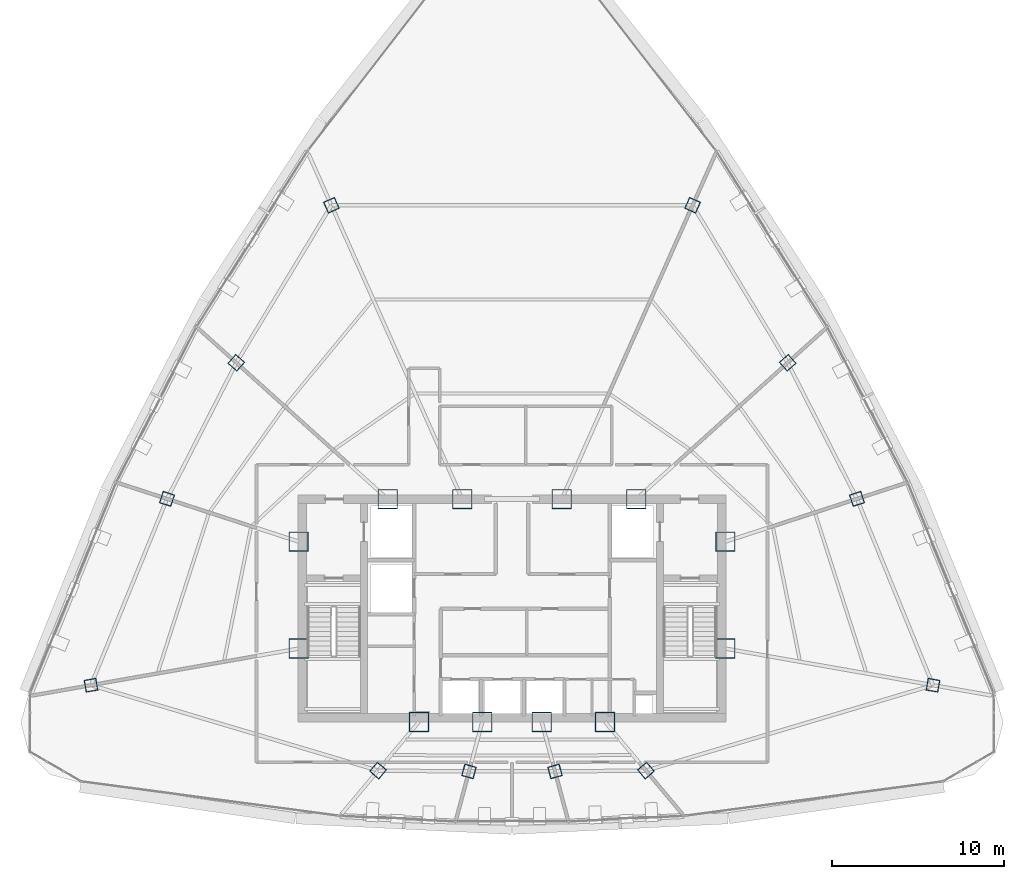
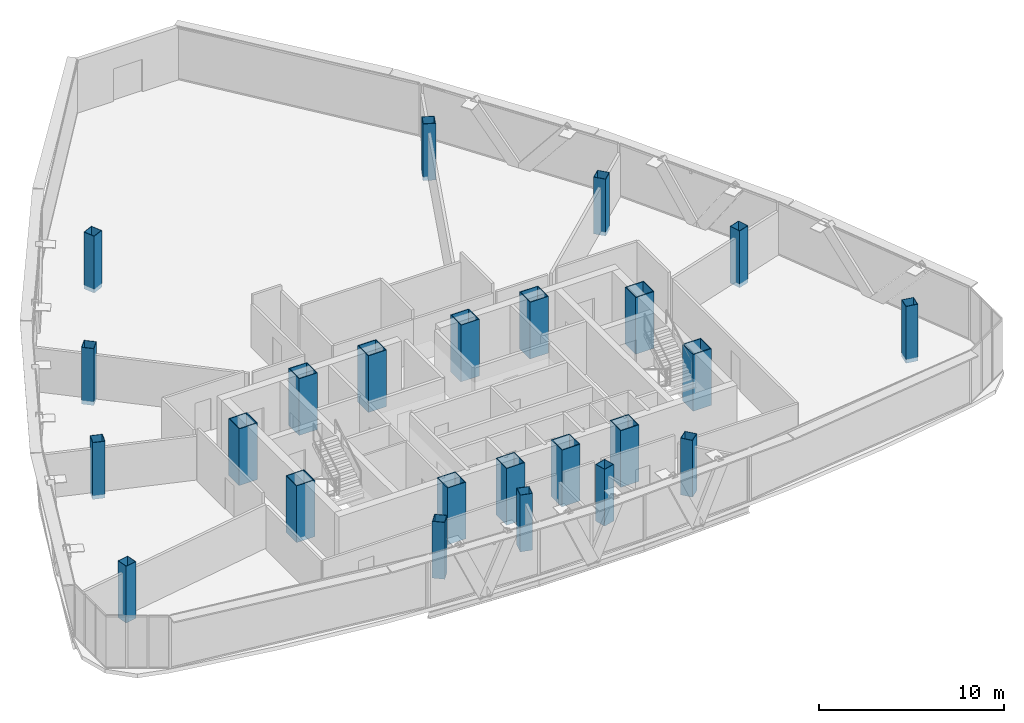
# One storey, part 1 of 27: 24 columns.
"""IFC4 building model written with IfcOpenShell, lengths in metres."""

from ifc_helpers import new_model, si_unit, direction, frame, origin, origin_2d, place, context, subcontext, project, spatial, hollow_rectangle, extrude, source, transform, mapped, material, material_profile, profile_set, type_object, element, save


model = new_model("IFC4")

# Units and contexts
model_context = context("Model", 3, precision=1e-05, world=origin(), true_north=direction((0.0, 1.0)))
body_context = subcontext(model_context, "Body", "Model", "MODEL_VIEW")
ifc_project = project(units=[si_unit("LENGTHUNIT", "METRE"), si_unit("AREAUNIT", "SQUARE_METRE"), si_unit("VOLUMEUNIT", "CUBIC_METRE"), si_unit("PLANEANGLEUNIT", "RADIAN"), si_unit("MASSUNIT", "GRAM", prefix="KILO"), si_unit("THERMODYNAMICTEMPERATUREUNIT", "KELVIN"), si_unit("POWERUNIT", "WATT")], contexts=[model_context])

# Site, building, storey
site_placement = place(None, origin())
site = spatial("IfcSite", under=ifc_project, at=site_placement, CompositionType="ELEMENT")
building_placement = place(site_placement, origin())
building = spatial("IfcBuilding", under=site, at=building_placement, Name="Yunzhuo Pagoda Commons", CompositionType="ELEMENT")
storey_placement = place(building_placement, frame((0.0, 0.0, 344.260009765625)))
storey = spatial("IfcBuildingStorey", under=building, at=storey_placement, Name="L86", CompositionType="ELEMENT", Elevation=344.260009765625)

# Columns
ifc_material_1 = material(Name="Structural steel Q420B", Category="steel")
ifc_material_profile_1 = material_profile(ifc_material_1, hollow_rectangle(XDim=1.14990234375, YDim=1.14990234375, WallThickness=0.048095703125, at=origin_2d()), Name="Structural steel Q420B")
ifc_profile_set_1 = profile_set([ifc_material_profile_1], Name="Structural steel Q420B")
column_type_1 = type_object("IfcColumnType", Name="C-COR Column BOX 1150x1150x48", PredefinedType="COLUMN", material=ifc_profile_set_1)
shared_shape_1 = source(origin(), body_context, "Body", "SweptSolid", [
    extrude(hollow_rectangle(XDim=1.14990234375, YDim=1.14990234375, WallThickness=0.048095703125, at=origin_2d()), origin(), (0.0, 0.0, 1.0), 3.75),
])
for number, where, z_axis, x_axis, name in (
    (1, (42.587890625, 27.25, -0.260009765625), (0.0, 0.0, 1.0), (1.0, 0.0, 0.0), "L86 core composite column F1C1"),
    (2, (46.27197265625, 27.25, -0.260009765625), (0.0, 0.0, 1.0), (1.0, 0.0, 0.0), "L86 core composite column F1C2"),
    (3, (49.728515625, 27.25, -0.260009765625), (0.0, 0.0, 1.0), (1.0, 0.0, 0.0), "L86 core composite column F1C3"),
    (4, (53.412109375, 27.25, -0.260009765625), (0.0, 0.0, 1.0), (1.0, 0.0, 0.0), "L86 core composite column F1C4"),
    (5, (60.39990234375, 31.513427734375, -0.260009765625), (0.0, 0.0, 1.0), (1.0, 0.0, 0.0), "L86 core composite column F2C1"),
    (6, (60.39990234375, 37.72900390625, -0.260009765625), (0.0, 0.0, 1.0), (1.0, 0.0, 0.0), "L86 core composite column F2C2"),
    (7, (55.218994140625, 40.199951171875, -0.260009765625), (0.0, 0.0, 1.0), (1.0, 0.0, 0.0), "L86 core composite column F2C3"),
    (8, (50.89404296875, 40.199951171875, -0.260009765625), (0.0, 0.0, 1.0), (1.0, 0.0, 0.0), "L86 core composite column F2C4"),
    (9, (45.10595703125, 40.199951171875, -0.260009765625), (0.0, 0.0, 1.0), (1.0, 0.0, 0.0), "L86 core composite column F3C1"),
    (10, (40.781005859375, 40.199951171875, -0.260009765625), (0.0, 0.0, 1.0), (1.0, 0.0, 0.0), "L86 core composite column F3C2"),
    (11, (35.60009765625, 37.72900390625, -0.260009765625), (0.0, 0.0, 1.0), (1.0, 0.0, 0.0), "L86 core composite column F3C3"),
    (12, (35.60009765625, 31.513427734375, -0.260009765625), (0.0, 0.0, 1.0), (1.0, 0.0, 0.0), "L86 core composite column F3C4"),
):
    element("IfcColumn", number, at=place(storey_placement, frame(where, z_axis=z_axis, x_axis=x_axis)), inside=storey, type_object=column_type_1, Name=name, PredefinedType="COLUMN", context=body_context, shape_type="MappedRepresentation", body=[
        mapped(shared_shape_1, transform((0.0, 0.0, 0.0), scale=1.0)),
    ])
ifc_material_2 = material(Name="Structural steel Q355B", Category="steel")
ifc_material_profile_2 = material_profile(ifc_material_2, hollow_rectangle(XDim=0.699951171875, YDim=0.699951171875, WallThickness=0.02587890625, at=origin_2d()), Name="Structural steel Q355B")
ifc_profile_set_2 = profile_set([ifc_material_profile_2], Name="Structural steel Q355B")
column_type_2 = type_object("IfcColumnType", Name="C-Z7 Column BOX 700x700x26", PredefinedType="COLUMN", material=ifc_profile_set_2)
shared_shape_2 = source(origin(), body_context, "Body", "SweptSolid", [
    extrude(hollow_rectangle(XDim=0.699951171875, YDim=0.699951171875, WallThickness=0.02587890625, at=origin_2d()), origin(), (0.0, 0.0, 1.0), 3.75),
])
for number, where, z_axis, x_axis, name in (
    (13, (40.214599609375, 24.421630859375, -0.260009765625), (0.0, 0.0, 1.0), (0.766044443119, -0.642787609687, 0.0), "L86 tower column F1C1"),
    (14, (45.500732421875, 24.372802734375, -0.260009765625), (0.0, 0.0, 1.0), (0.965925826289, -0.258819045103, 0.0), "L86 tower column F1C2"),
    (15, (50.499267578125, 24.372802734375, -0.260009765625), (0.0, 0.0, 1.0), (0.965925826289, 0.258819045103, 0.0), "L86 tower column F1C3"),
    (16, (55.785400390625, 24.421630859375, -0.260009765625), (0.0, 0.0, 1.0), (0.766044443119, 0.642787609687, 0.0), "L86 tower column F1C4"),
    (17, (72.47021484375, 29.38525390625, -0.260009765625), (0.0, 0.0, 1.0), (0.173648177667, 0.984807753012, 0.0), "L86 tower column F2C1"),
    (18, (68.053466796875, 40.2158203125, -0.260009765625), (0.0, 0.0, 1.0), (-0.309016994375, 0.951056516295, 0.0), "L86 tower column F2C2"),
    (19, (64.024658203125, 48.128662109375, -0.260009765625), (0.0, 0.0, 1.0), (-0.669130606359, 0.743144825477, 0.0), "L86 tower column F2C3"),
    (20, (58.498779296875, 57.281005859375, -0.260009765625), (0.0, 0.0, 1.0), (-0.913545457643, 0.406736643076, 0.0), "L86 tower column F2C4"),
    (21, (37.501220703125, 57.281005859375, -0.260009765625), (0.0, 0.0, 1.0), (-0.913545457643, -0.406736643076, 0.0), "L86 tower column F3C1"),
    (22, (31.975341796875, 48.128662109375, -0.260009765625), (0.0, 0.0, 1.0), (-0.669130606359, -0.743144825477, 0.0), "L86 tower column F3C2"),
    (23, (27.946533203125, 40.2158203125, -0.260009765625), (0.0, 0.0, 1.0), (-0.309016994375, -0.951056516295, 0.0), "L86 tower column F3C3"),
    (24, (23.52978515625, 29.38525390625, -0.260009765625), (0.0, 0.0, 1.0), (0.173648177667, -0.984807753012, 0.0), "L86 tower column F3C4"),
):
    element("IfcColumn", number, at=place(storey_placement, frame(where, z_axis=z_axis, x_axis=x_axis)), inside=storey, type_object=column_type_2, Name=name, PredefinedType="COLUMN", context=body_context, shape_type="MappedRepresentation", body=[
        mapped(shared_shape_2, transform((0.0, 0.0, 0.0), scale=1.0)),
    ])

save(model, "model.ifc")
